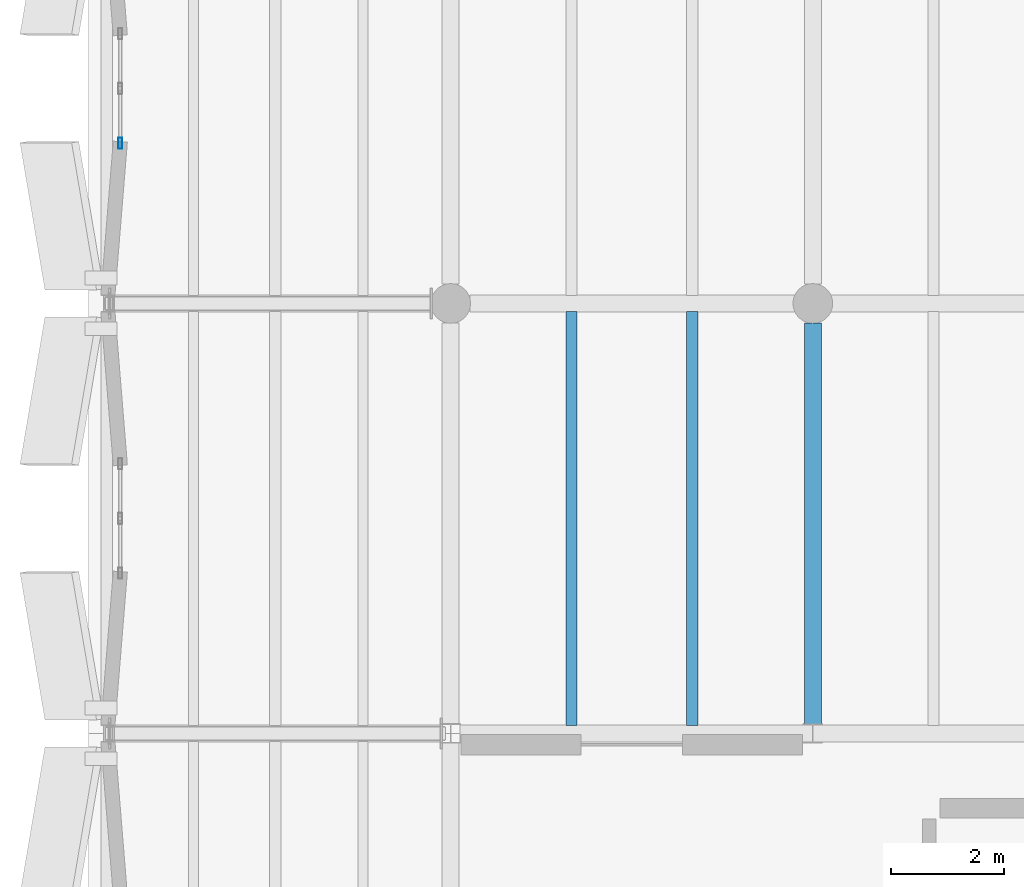
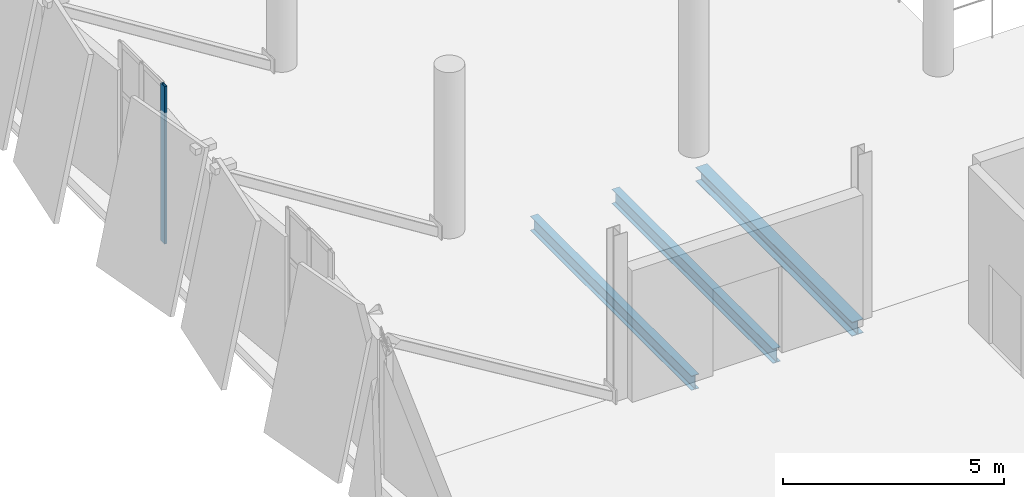
# One storey, part 12 of 74: 3 beams, 1 member, 1 element without a shape of its own.
"""IFC4 building model written with IfcOpenShell, lengths in metres."""

from ifc_helpers import new_model, si_unit, direction, frame, origin, origin_2d, place, context, subcontext, project, spatial, hollow_rectangle, i_section, extrude, material, material_profile, profile_set, type_object, element, aggregate, save


model = new_model("IFC4")

# Units and contexts
model_context = context("Model", 3, precision=1e-05, world=origin(), true_north=direction((0.0, 1.0)))
body_context = subcontext(model_context, "Body", "Model", "MODEL_VIEW")
ifc_project = project(units=[si_unit("LENGTHUNIT", "METRE"), si_unit("AREAUNIT", "SQUARE_METRE"), si_unit("VOLUMEUNIT", "CUBIC_METRE"), si_unit("PLANEANGLEUNIT", "RADIAN"), si_unit("MASSUNIT", "GRAM", prefix="KILO")], contexts=[model_context])

# Site, building, storey
site_placement = place(None, origin())
site = spatial("IfcSite", under=ifc_project, at=site_placement, CompositionType="ELEMENT")
building_placement = place(site_placement, origin())
building = spatial("IfcBuilding", under=site, at=building_placement, Name="Shengluoqiao Park Theatre", CompositionType="ELEMENT")
storey_placement = place(building_placement, frame((0.0, 0.0, 14.60009765625)))
storey = spatial("IfcBuildingStorey", under=building, at=storey_placement, Name="L03", CompositionType="ELEMENT", Elevation=14.60009765625)

# Curtain wall, member
ifc_material_1 = material(Name="Aluminium 6063-T6", Category="aluminium")
curtain_wall_type = type_object("IfcCurtainWallType", Name="ENV-CW-FOYER", PredefinedType="NOTDEFINED", material=ifc_material_1)
curtain_wall_placement = place(storey_placement, origin())
curtain_wall = element("IfcCurtainWall", 1, at=curtain_wall_placement, inside=storey, type_object=curtain_wall_type, Name="L03 Curtain Wall CW-L03-SLIT-0248", PredefinedType="NOTDEFINED")
ifc_material_profile_1 = material_profile(ifc_material_1, hollow_rectangle(XDim=0.06494140625, YDim=0.199951171875, WallThickness=0.0048828125, InnerFilletRadius=0.0048828125, OuterFilletRadius=0.010009765625, at=origin_2d()), Name="ALU MULLION 200x65x5")
ifc_profile_set_1 = profile_set([ifc_material_profile_1], Name="Aluminium 6063-T6")
member_type = type_object("IfcMemberType", Name="ENV-MUL-200", PredefinedType="MULLION", material=ifc_profile_set_1)
member_placement = place(storey_placement, frame((0.56005859375, 63.632568359375, 0.0), z_axis=(0.0, 0.0, 1.0), x_axis=(-1.0, 0.0, 0.0)))
member = element("IfcMember", 2, at=member_placement, type_object=member_type, Name="CW-01 mullion 1", PredefinedType="MULLION", context=body_context, shape_type="SweptSolid", body=[
    extrude(hollow_rectangle(XDim=0.06494140625, YDim=0.199951171875, WallThickness=0.0048828125, InnerFilletRadius=0.0048828125, OuterFilletRadius=0.010009765625, at=origin_2d()), origin(), (0.0, 0.0, 1.0), 4.35986328125),
])
aggregate(curtain_wall, [member])

# Beams
ifc_material_2 = material(Name="Steel Q355", Category="steel")
ifc_material_profile_2 = material_profile(ifc_material_2, i_section(OverallWidth=0.300048828125, OverallDepth=0.389892578125, WebThickness=0.010009765625, FlangeThickness=0.01611328125, FilletRadius=0.01806640625, at=origin_2d()), Name="HM 390x300x10x16")
ifc_profile_set_2 = profile_set([ifc_material_profile_2], Name="Steel Q355")
beam_type_1 = type_object("IfcBeamType", Name="STR-BM-G-HM390", PredefinedType="BEAM", material=ifc_profile_set_2)
beam_placement = place(storey_placement, frame((12.800048828125, 53.365966796875, -0.43505859375), z_axis=(0.0, 1.0, 0.0), x_axis=(-1.0, 0.0, 0.0)))
element("IfcBeam", 3, at=beam_placement, inside=storey, type_object=beam_type_1, Name="L03 Transverse Girder 01312", PredefinedType="BEAM", context=body_context, shape_type="SweptSolid", body=[
    extrude(i_section(OverallWidth=0.300048828125, OverallDepth=0.389892578125, WebThickness=0.010009765625, FlangeThickness=0.01611328125, FilletRadius=0.01806640625, at=origin_2d()), origin(), (0.0, 0.0, 1.0), 7.090087890625),
])
ifc_material_profile_3 = material_profile(ifc_material_2, i_section(OverallWidth=0.199951171875, OverallDepth=0.39990234375, WebThickness=0.008056640625, FlangeThickness=0.012939453125, FilletRadius=0.01611328125, at=origin_2d()), Name="HN 400x200x8x13")
ifc_profile_set_3 = profile_set([ifc_material_profile_3], Name="Steel Q355")
beam_type_2 = type_object("IfcBeamType", Name="STR-BM-J-HN400", PredefinedType="JOIST", material=ifc_profile_set_3)
for number, where, z_axis, x_axis, name in (
    (4, (8.533203125, 53.344970703125, -0.440185546875), (0.0, 1.0, 0.0), (-1.0, 0.0, 0.0), "L03 Composite Joist 01320"),
    (5, (10.666748046875, 53.344970703125, -0.440185546875), (0.0, 1.0, 0.0), (-1.0, 0.0, 0.0), "L03 Composite Joist 01321"),
):
    element("IfcBeam", number, at=place(storey_placement, frame(where, z_axis=z_axis, x_axis=x_axis)), inside=storey, type_object=beam_type_2, Name=name, PredefinedType="JOIST", context=body_context, shape_type="SweptSolid", body=[
        extrude(i_section(OverallWidth=0.199951171875, OverallDepth=0.39990234375, WebThickness=0.008056640625, FlangeThickness=0.012939453125, FilletRadius=0.01611328125, at=origin_2d()), origin(), (0.0, 0.0, 1.0), 7.31005859375),
    ])

save(model, "model.ifc")
